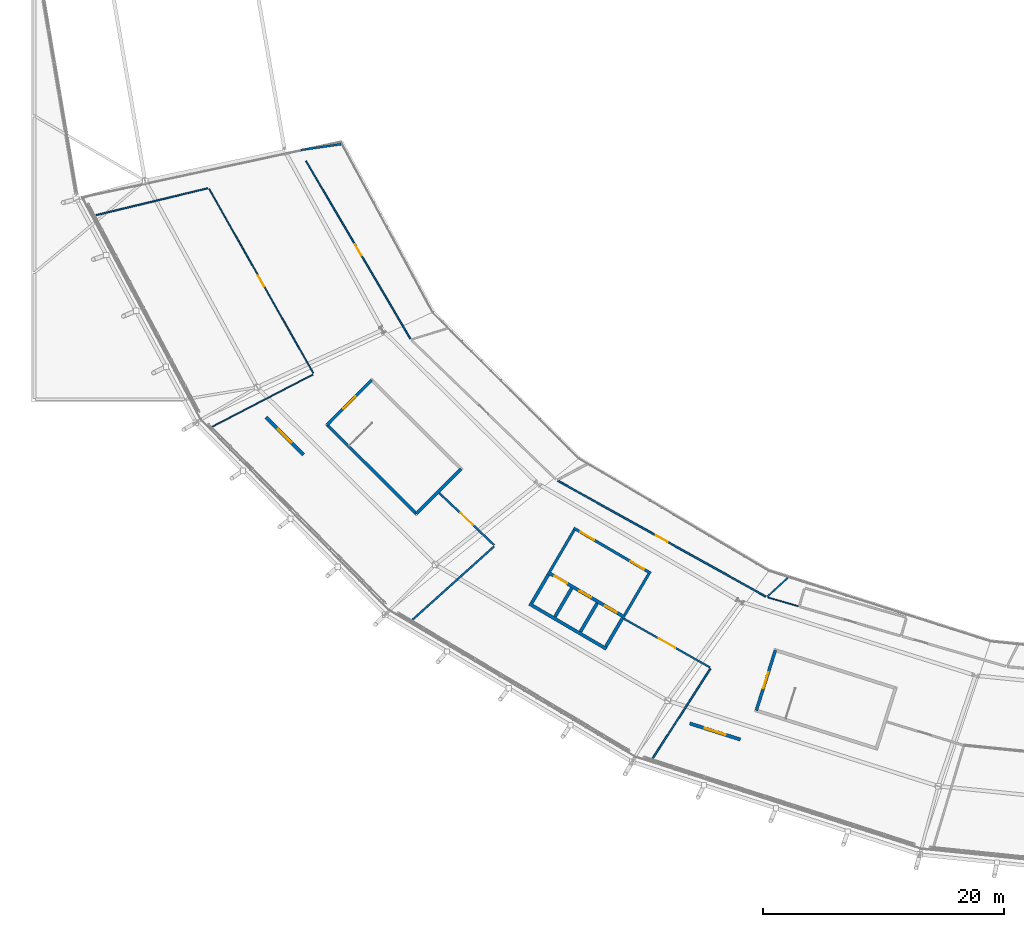
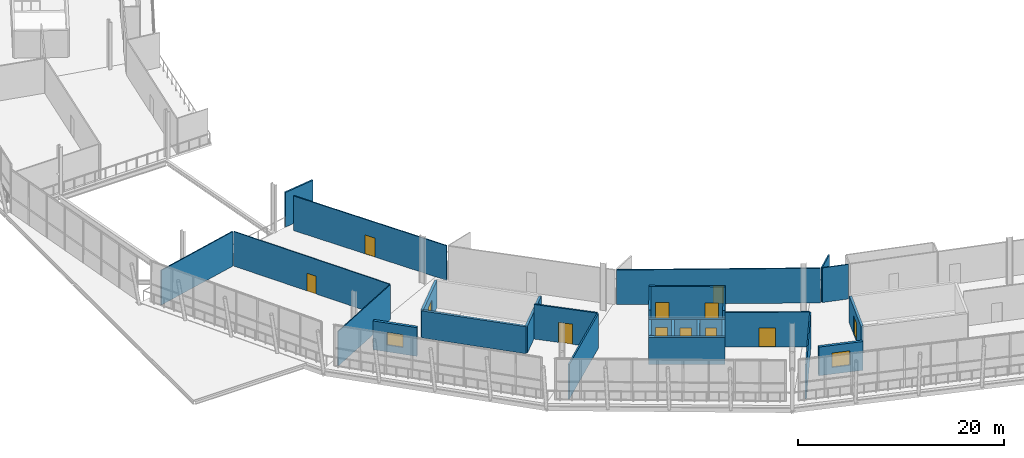
# One storey, part 82 of 99: 27 walls, 12 doors, 2 windows, 14 openings.
"""IFC4 building model written with IfcOpenShell, lengths in metres."""

from ifc_helpers import new_model, si_unit, direction, frame, frame_2d, origin, place, context, subcontext, project, spatial, rectangle, extrude, material, layer, layer_set, type_object, element, fill, save


model = new_model("IFC4")

# Units and contexts
model_context = context("Model", 3, precision=1e-05, world=origin(), true_north=direction((0.0, 1.0)))
body_context = subcontext(model_context, "Body", "Model", "MODEL_VIEW")
ifc_project = project(units=[si_unit("LENGTHUNIT", "METRE"), si_unit("AREAUNIT", "SQUARE_METRE"), si_unit("VOLUMEUNIT", "CUBIC_METRE"), si_unit("PLANEANGLEUNIT", "RADIAN"), si_unit("MASSUNIT", "GRAM", prefix="KILO")], contexts=[model_context])

# Site, building, storey
site_placement = place(None, origin())
site = spatial("IfcSite", under=ifc_project, at=site_placement, CompositionType="ELEMENT")
building_placement = place(site_placement, origin())
building = spatial("IfcBuilding", under=site, at=building_placement, Name="Zlatoyarsky Gate Stadium", CompositionType="ELEMENT")
storey_placement = place(building_placement, frame((0.0, 0.0, 26.199951171875)))
storey = spatial("IfcBuildingStorey", under=building, at=storey_placement, Name="L05", CompositionType="ELEMENT", Elevation=26.199951171875)

# Wall
ifc_material_1 = material(Name="Double-stud acoustic gypsum partition", Category="gypsum")
ifc_layer_1 = layer(ifc_material_1, 0.169921875)
ifc_layer_set_1 = layer_set([ifc_layer_1], Name="Double-stud acoustic gypsum partition")
wall_type_1 = type_object("IfcWallType", Name="ACOUSTIC BROADCAST STUDIO WALL 170", PredefinedType="PARTITIONING", material=ifc_layer_set_1)
wall_1_placement = place(storey_placement, frame((37.426513671875, 64.650390625, 0.0), z_axis=(0.0, 0.0, 1.0), x_axis=(-0.990071167714, -0.140567004881, 0.0)))
element("IfcWall", 1, at=wall_1_placement, inside=storey, type_object=wall_type_1, Name="L05 interior partition PRT-L05-IRD-13G", PredefinedType="PARTITIONING", context=body_context, shape_type="SweptSolid", body=[
    extrude(rectangle(XDim=3.36083984375, YDim=0.169921875, at=frame_2d((1.680419921875, 0.0))), origin(), (0.0, 0.0, 1.0), 4.10009765625),
])

# Wall, opening, door
wall_2_placement = place(storey_placement, frame((45.560791015625, 35.729736328125, 0.0), z_axis=(0.0, 0.0, 1.0), x_axis=(0.72578901813, -0.687917365068, 0.0)))
wall_2 = element("IfcWall", 2, at=wall_2_placement, inside=storey, type_object=wall_type_1, Name="L05 interior partition PRT-L05-OCC-14-1", PredefinedType="PARTITIONING", context=body_context, shape_type="SweptSolid", body=[
    extrude(rectangle(XDim=6.2724609375, YDim=0.169921875, at=frame_2d((3.13623046875, 0.0))), origin(), (0.0, 0.0, 1.0), 4.10009765625),
])
opening_1_placement = place(wall_2_placement, frame((2.416259765625, 0.0, 0.0)))
opening_1 = element("IfcOpeningElement", 3, at=opening_1_placement, cuts=wall_2, Name="Opening D-L05-690", PredefinedType="OPENING", context=body_context, shape_type="SweptSolid", body=[
    extrude(rectangle(XDim=1.43994140625, YDim=2.3798828125, at=frame_2d((0.719970703125, 1.18994140625))), frame((0.0, 0.094970703125, 0.0), z_axis=(0.0, -1.0, 0.0), x_axis=(1.0, 0.0, 0.0)), (0.0, 0.0, 1.0), 0.18994140625),
])
ifc_material_2 = material(Name="Powder-coated steel fire door", Category="steel")
door_type_1 = type_object("IfcDoorType", Name="ACOUSTIC INTERIOR DOOR 1440X2380", OperationType="NOTDEFINED", PredefinedType="DOOR", material=ifc_material_2)
door_1_placement = place(opening_1_placement, origin())
door_1 = element("IfcDoor", 4, at=door_1_placement, inside=storey, type_object=door_type_1, Name="L05 room door D-L05-690", OperationType="SINGLE_SWING_RIGHT", OverallHeight=2.3798828125, OverallWidth=1.43994140625, PredefinedType="DOOR", context=body_context, shape_type="SweptSolid", body=[
    extrude(rectangle(XDim=1.43994140625, YDim=2.3798828125, at=frame_2d((0.719970703125, 1.18994140625))), frame((0.0, 0.02490234375, 0.0), z_axis=(0.0, -1.0, 0.0), x_axis=(1.0, 0.0, 0.0)), (0.0, 0.0, 1.0), 0.050048828125),
])
fill(opening_1, door_1)

ifc_material_3 = material(Name="Anodised aluminium acoustic operable wall", Category="aluminium")
ifc_layer_2 = layer(ifc_material_3, 0.114990234375)
ifc_layer_set_2 = layer_set([ifc_layer_2], Name="Anodised aluminium acoustic operable wall")
wall_type_2 = type_object("IfcWallType", Name="ACOUSTIC OPERABLE SUITE WALL 115", PredefinedType="MOVABLE", material=ifc_layer_set_2)
wall_3_placement = place(storey_placement, frame((34.513427734375, 63.2587890625, 0.0), z_axis=(0.0, 0.0, 1.0), x_axis=(0.506269409128, -0.862375373826, 0.0)))
wall_3 = element("IfcWall", 5, at=wall_3_placement, inside=storey, type_object=wall_type_2, Name="L05 interior partition PRT-L05-ICC-13", PredefinedType="MOVABLE", context=body_context, shape_type="SweptSolid", body=[
    extrude(rectangle(XDim=17.08740234375, YDim=0.114990234375, at=frame_2d((8.543701171875, 0.0))), origin(), (0.0, 0.0, 1.0), 4.10009765625),
])
opening_2_placement = place(wall_3_placement, frame((8.003662109375, 0.0, 0.0)))
opening_2 = element("IfcOpeningElement", 6, at=opening_2_placement, cuts=wall_3, Name="Opening D-L05-638", PredefinedType="OPENING", context=body_context, shape_type="SweptSolid", body=[
    extrude(rectangle(XDim=1.080078125, YDim=2.239990234375, at=frame_2d((0.5400390625, 1.1201171875))), frame((0.0, 0.0673828125, 0.0), z_axis=(0.0, -1.0, 0.0), x_axis=(1.0, 0.0, 0.0)), (0.0, 0.0, 1.0), 0.135009765625),
])
ifc_material_4 = material(Name="Solid-core oak veneer acoustic door", Category="wood")
door_type_2 = type_object("IfcDoorType", Name="ACOUSTIC INTERIOR DOOR 1080X2240", OperationType="NOTDEFINED", PredefinedType="DOOR", material=ifc_material_4)
door_2_placement = place(opening_2_placement, origin())
door_2 = element("IfcDoor", 7, at=door_2_placement, inside=storey, type_object=door_type_2, Name="L05 room door D-L05-638", OperationType="SINGLE_SWING_RIGHT", OverallHeight=2.239990234375, OverallWidth=1.080078125, PredefinedType="DOOR", context=body_context, shape_type="SweptSolid", body=[
    extrude(rectangle(XDim=1.080078125, YDim=2.239990234375, at=frame_2d((0.5400390625, 1.1201171875))), frame((0.0, 0.02490234375, 0.0), z_axis=(0.0, -1.0, 0.0), x_axis=(1.0, 0.0, 0.0)), (0.0, 0.0, 1.0), 0.050048828125),
])
fill(opening_2, door_2)

# Wall
wall_4_placement = place(storey_placement, frame((26.364990234375, 60.998046875, 0.0), z_axis=(0.0, 0.0, 1.0), x_axis=(-0.972186593334, -0.234207659441, 0.0)))
element("IfcWall", 8, at=wall_4_placement, inside=storey, type_object=wall_type_2, Name="L05 interior partition PRT-L05-ORD-13L", PredefinedType="MOVABLE", context=body_context, shape_type="SweptSolid", body=[
    extrude(rectangle(XDim=9.556884765625, YDim=0.114990234375, at=frame_2d((4.7783203125, 0.0))), origin(), (0.0, 0.0, 1.0), 4.10009765625),
])

# Wall, opening, door
ifc_material_5 = material(Name="Moisture-resistant masonry partition", Category="masonry")
ifc_layer_3 = layer(ifc_material_5, 0.139892578125)
ifc_layer_set_3 = layer_set([ifc_layer_3], Name="Moisture-resistant masonry partition")
wall_type_3 = type_object("IfcWallType", Name="ATHLETE CHANGING BLOCK PARTITION 140", PredefinedType="PARTITIONING", material=ifc_layer_set_3)
wall_5_placement = place(storey_placement, frame((55.3818359375, 36.751220703125, 0.0), z_axis=(0.0, 0.0, 1.0), x_axis=(0.873697684001, -0.486469276493, 0.0)))
wall_5 = element("IfcWall", 9, at=wall_5_placement, inside=storey, type_object=wall_type_3, Name="L05 interior partition PRT-L05-ICC-15", PredefinedType="PARTITIONING", context=body_context, shape_type="SweptSolid", body=[
    extrude(rectangle(XDim=19.76171875, YDim=0.139892578125, at=frame_2d((9.880859375, 0.0))), origin(), (0.0, 0.0, 1.0), 4.10009765625),
])
opening_3_placement = place(wall_5_placement, frame((9.3408203125, 0.0, 0.0)))
opening_3 = element("IfcOpeningElement", 10, at=opening_3_placement, cuts=wall_5, Name="Opening D-L05-643", PredefinedType="OPENING", context=body_context, shape_type="SweptSolid", body=[
    extrude(rectangle(XDim=1.080078125, YDim=2.10009765625, at=frame_2d((0.5400390625, 1.050048828125))), frame((0.0, 0.079833984375, 0.0), z_axis=(0.0, -1.0, 0.0), x_axis=(1.0, 0.0, 0.0)), (0.0, 0.0, 1.0), 0.159912109375),
])
door_type_3 = type_object("IfcDoorType", Name="ACOUSTIC INTERIOR DOOR 1080X2100", OperationType="NOTDEFINED", PredefinedType="DOOR", material=ifc_material_2)
door_3_placement = place(opening_3_placement, origin())
door_3 = element("IfcDoor", 11, at=door_3_placement, inside=storey, type_object=door_type_3, Name="L05 room door D-L05-643", OperationType="SINGLE_SWING_RIGHT", OverallHeight=2.10009765625, OverallWidth=1.080078125, PredefinedType="DOOR", context=body_context, shape_type="SweptSolid", body=[
    extrude(rectangle(XDim=1.080078125, YDim=2.10009765625, at=frame_2d((0.5400390625, 1.050048828125))), frame((0.0, 0.02490234375, 0.0), z_axis=(0.0, -1.0, 0.0), x_axis=(1.0, 0.0, 0.0)), (0.0, 0.0, 1.0), 0.050048828125),
])
fill(opening_3, door_3)

# Wall
wall_6_placement = place(storey_placement, frame((68.041259765625, 21.15185546875, 0.0), z_axis=(0.0, 0.0, 1.0), x_axis=(-0.540739516847, -0.841190094402, 0.0)))
element("IfcWall", 12, at=wall_6_placement, inside=storey, type_object=wall_type_3, Name="L05 interior partition PRT-L05-ORD-15R", PredefinedType="PARTITIONING", context=body_context, shape_type="SweptSolid", body=[
    extrude(rectangle(XDim=8.875, YDim=0.139892578125, at=frame_2d((4.4375, 0.0))), origin(), (0.0, 0.0, 1.0), 4.10009765625),
])

# Wall, opening, door
ifc_material_6 = material(Name="Metal-stud gypsum partition", Category="gypsum")
ifc_layer_4 = layer(ifc_material_6, 0.14990234375)
ifc_layer_set_4 = layer_set([ifc_layer_4], Name="Metal-stud gypsum partition")
wall_type_4 = type_object("IfcWallType", Name="CONCOURSE CORRIDOR PARTITION 150", PredefinedType="PARTITIONING", material=ifc_layer_set_4)
wall_7_placement = place(storey_placement, frame((60.8896484375, 25.294921875, 0.0), z_axis=(0.0, 0.0, 1.0), x_axis=(0.870382774167, -0.492375696429, 0.0)))
wall_7 = element("IfcWall", 13, at=wall_7_placement, inside=storey, type_object=wall_type_4, Name="L05 interior partition PRT-L05-OCC-15-1", PredefinedType="PARTITIONING", context=body_context, shape_type="SweptSolid", body=[
    extrude(rectangle(XDim=8.184326171875, YDim=0.14990234375, at=frame_2d((4.09228515625, 0.0))), origin(), (0.0, 0.0, 1.0), 4.10009765625),
])
opening_4_placement = place(wall_7_placement, frame((3.312255859375, 0.0, 0.0)))
opening_4 = element("IfcOpeningElement", 14, at=opening_4_placement, cuts=wall_7, Name="Opening D-L05-692", PredefinedType="OPENING", context=body_context, shape_type="SweptSolid", body=[
    extrude(rectangle(XDim=1.56005859375, YDim=2.239990234375, at=frame_2d((0.780029296875, 1.1201171875))), frame((0.0, 0.0849609375, 0.0), z_axis=(0.0, -1.0, 0.0), x_axis=(1.0, 0.0, 0.0)), (0.0, 0.0, 1.0), 0.169921875),
])
door_type_4 = type_object("IfcDoorType", Name="ACOUSTIC INTERIOR DOOR 1560X2240", OperationType="NOTDEFINED", PredefinedType="DOOR", material=ifc_material_2)
door_4_placement = place(opening_4_placement, origin())
door_4 = element("IfcDoor", 15, at=door_4_placement, inside=storey, type_object=door_type_4, Name="L05 room door D-L05-692", OperationType="SINGLE_SWING_LEFT", OverallHeight=2.239990234375, OverallWidth=1.56005859375, PredefinedType="DOOR", context=body_context, shape_type="SweptSolid", body=[
    extrude(rectangle(XDim=1.56005859375, YDim=2.239990234375, at=frame_2d((0.780029296875, 1.1201171875))), frame((0.0, 0.02490234375, 0.0), z_axis=(0.0, -1.0, 0.0), x_axis=(1.0, 0.0, 0.0)), (0.0, 0.0, 1.0), 0.050048828125),
])
fill(opening_4, door_4)

# Walls
ifc_material_7 = material(Name="Concrete C40/50", Category="concrete")
ifc_layer_5 = layer(ifc_material_7, 0.27001953125)
ifc_layer_set_5 = layer_set([ifc_layer_5], Name="Concrete C40/50")
wall_type_5 = type_object("IfcWallType", Name="CONCRETE LIFT SHAFT SHEAR WALL 270", PredefinedType="SHEAR", material=ifc_layer_set_5)
wall_8_placement = place(storey_placement, frame((53.037353515625, 26.541015625, 0.0), z_axis=(0.0, 0.0, 1.0), x_axis=(0.862865684113, -0.505433290534, 0.0)))
element("IfcWall", 16, at=wall_8_placement, inside=storey, type_object=wall_type_5, Name="C3 L05 lift shaft rear wall", PredefinedType="SHEAR", context=body_context, shape_type="SweptSolid", body=[
    extrude(rectangle(XDim=7.400146484375, YDim=0.27001953125, at=frame_2d((3.7001953125, 0.0))), origin(), (0.0, 0.0, 1.0), 3.199951171875),
])
for number, where, z_axis, x_axis, name in (
    (17, (53.227294921875, 26.597900390625, 0.0), (0.0, 0.0, 1.0), (0.505465660416, 0.862846722275, 0.0), "C3 L05 lift shaft left wall"),
    (18, (59.37939453125, 22.993896484375, 0.0), (0.0, 0.0, 1.0), (0.505465660416, 0.862846722275, 0.0), "C3 L05 lift shaft right wall"),
):
    element("IfcWall", number, at=place(storey_placement, frame(where, z_axis=z_axis, x_axis=x_axis)), inside=storey, type_object=wall_type_5, Name=name, PredefinedType="SHEAR", context=body_context, shape_type="SweptSolid", body=[
        extrude(rectangle(XDim=2.739990234375, YDim=0.27001953125, at=frame_2d((1.3701171875, 0.0))), origin(), (0.0, 0.0, 1.0), 3.199951171875),
    ])
wall_9_placement = place(storey_placement, frame((55.159912109375, 25.4658203125, 0.0), z_axis=(0.0, 0.0, 1.0), x_axis=(0.505504523015, 0.862823954936, 0.0)))
element("IfcWall", 19, at=wall_9_placement, inside=storey, type_object=wall_type_5, Name="C3 L05 lift shaft divider 1", PredefinedType="SHEAR", context=body_context, shape_type="SweptSolid", body=[
    extrude(rectangle(XDim=2.73974609375, YDim=0.27001953125, at=frame_2d((1.369873046875, 0.0))), origin(), (0.0, 0.0, 1.0), 3.199951171875),
])
wall_10_placement = place(storey_placement, frame((57.27392578125, 24.227294921875, 0.0), z_axis=(0.0, 0.0, 1.0), x_axis=(0.505465660416, 0.862846722275, 0.0)))
element("IfcWall", 20, at=wall_10_placement, inside=storey, type_object=wall_type_5, Name="C3 L05 lift shaft divider 2", PredefinedType="SHEAR", context=body_context, shape_type="SweptSolid", body=[
    extrude(rectangle(XDim=2.739990234375, YDim=0.27001953125, at=frame_2d((1.3701171875, 0.0))), origin(), (0.0, 0.0, 1.0), 3.199951171875),
])

# Wall, openings, doors
wall_11_placement = place(storey_placement, frame((54.569091796875, 29.155517578125, 0.0), z_axis=(0.0, 0.0, 1.0), x_axis=(0.862842866418, -0.505472242434, 0.0)))
wall_11 = element("IfcWall", 21, at=wall_11_placement, inside=storey, type_object=wall_type_5, Name="C3 L05 lift landing front wall", PredefinedType="SHEAR", context=body_context, shape_type="SweptSolid", body=[
    extrude(rectangle(XDim=7.39990234375, YDim=0.27001953125, at=frame_2d((3.699951171875, 0.0))), origin(), (0.0, 0.0, 1.0), 3.199951171875),
])
opening_5_placement = place(wall_11_placement, frame((0.64990234375, 0.0, 0.0)))
opening_5 = element("IfcOpeningElement", 22, at=opening_5_placement, cuts=wall_11, Name="Opening LD-FL-03-L05", PredefinedType="OPENING", context=body_context, shape_type="SweptSolid", body=[
    extrude(rectangle(XDim=1.199951171875, YDim=2.25, at=frame_2d((0.60009765625, 1.125))), frame((0.0, 0.14501953125, 0.0), z_axis=(0.0, -1.0, 0.0), x_axis=(1.0, 0.0, 0.0)), (0.0, 0.0, 1.0), 0.2900390625),
])
opening_6_placement = place(wall_11_placement, frame((3.050048828125, 0.0, 0.0)))
opening_6 = element("IfcOpeningElement", 23, at=opening_6_placement, cuts=wall_11, Name="Opening LD-LF-05-L05", PredefinedType="OPENING", context=body_context, shape_type="SweptSolid", body=[
    extrude(rectangle(XDim=1.10009765625, YDim=2.199951171875, at=frame_2d((0.550048828125, 1.10009765625))), frame((0.0, 0.14501953125, 0.0), z_axis=(0.0, -1.0, 0.0), x_axis=(1.0, 0.0, 0.0)), (0.0, 0.0, 1.0), 0.2900390625),
])
opening_7_placement = place(wall_11_placement, frame((5.5, 0.0, 0.0)))
opening_7 = element("IfcOpeningElement", 24, at=opening_7_placement, cuts=wall_11, Name="Opening LD-LF-06-L05", PredefinedType="OPENING", context=body_context, shape_type="SweptSolid", body=[
    extrude(rectangle(XDim=1.10009765625, YDim=2.199951171875, at=frame_2d((0.550048828125, 1.10009765625))), frame((0.0, 0.14501953125, 0.0), z_axis=(0.0, -1.0, 0.0), x_axis=(1.0, 0.0, 0.0)), (0.0, 0.0, 1.0), 0.2900390625),
])
door_type_5 = type_object("IfcDoorType", Name="STAINLESS LIFT LANDING SLIDING DOOR 1100X2200", OperationType="DOUBLE_DOOR_SLIDING", PredefinedType="DOOR", material=ifc_material_2)
door_5_placement = place(opening_6_placement, origin())
door_5 = element("IfcDoor", 25, at=door_5_placement, inside=storey, type_object=door_type_5, Name="Lift LF-05 L05 sliding landing door", OperationType="DOUBLE_DOOR_SLIDING", OverallHeight=2.199951171875, OverallWidth=1.10009765625, PredefinedType="DOOR", context=body_context, shape_type="SweptSolid", body=[
    extrude(rectangle(XDim=1.10009765625, YDim=2.199951171875, at=frame_2d((0.550048828125, 1.10009765625))), frame((0.0, 0.02490234375, 0.0), z_axis=(0.0, -1.0, 0.0), x_axis=(1.0, 0.0, 0.0)), (0.0, 0.0, 1.0), 0.050048828125),
])
fill(opening_6, door_5)
door_6_placement = place(opening_7_placement, origin())
door_6 = element("IfcDoor", 26, at=door_6_placement, inside=storey, type_object=door_type_5, Name="Lift LF-06 L05 sliding landing door", OperationType="DOUBLE_DOOR_SLIDING", OverallHeight=2.199951171875, OverallWidth=1.10009765625, PredefinedType="DOOR", context=body_context, shape_type="SweptSolid", body=[
    extrude(rectangle(XDim=1.10009765625, YDim=2.199951171875, at=frame_2d((0.550048828125, 1.10009765625))), frame((0.0, 0.02490234375, 0.0), z_axis=(0.0, -1.0, 0.0), x_axis=(1.0, 0.0, 0.0)), (0.0, 0.0, 1.0), 0.050048828125),
])
fill(opening_7, door_6)
door_type_6 = type_object("IfcDoorType", Name="STAINLESS LIFT LANDING SLIDING DOOR 1200X2250", OperationType="DOUBLE_DOOR_SLIDING", PredefinedType="DOOR", material=ifc_material_2)
door_7_placement = place(opening_5_placement, origin())
door_7 = element("IfcDoor", 27, at=door_7_placement, inside=storey, type_object=door_type_6, Name="Lift FL-03 L05 sliding landing door", OperationType="DOUBLE_DOOR_SLIDING", OverallHeight=2.25, OverallWidth=1.199951171875, PredefinedType="DOOR", context=body_context, shape_type="SweptSolid", body=[
    extrude(rectangle(XDim=1.199951171875, YDim=2.25, at=frame_2d((0.60009765625, 1.125))), frame((0.0, 0.02490234375, 0.0), z_axis=(0.0, -1.0, 0.0), x_axis=(1.0, 0.0, 0.0)), (0.0, 0.0, 1.0), 0.050048828125),
])
fill(opening_5, door_7)

# Wall, opening, door
ifc_layer_6 = layer(ifc_material_7, 0.25)
ifc_layer_set_6 = layer_set([ifc_layer_6], Name="Concrete C40/50")
wall_type_6 = type_object("IfcWallType", Name="CONCRETE STAIR CORE SHEAR WALL 250", PredefinedType="SHEAR", material=ifc_layer_set_6)
wall_12_placement = place(storey_placement, frame((39.961181640625, 45.10205078125, 0.0), z_axis=(0.0, 0.0, 1.0), x_axis=(-0.705314141126, -0.708894888067, 0.0)))
wall_12 = element("IfcWall", 28, at=wall_12_placement, inside=storey, type_object=wall_type_6, Name="ST-08 L05 stair core entrance shear wall", PredefinedType="SHEAR", context=body_context, shape_type="SweptSolid", body=[
    extrude(rectangle(XDim=5.25, YDim=0.25, at=frame_2d((2.625, 0.0))), origin(), (0.0, 0.0, 1.0), 3.199951171875),
])
opening_8_placement = place(wall_12_placement, frame((1.925048828125, 0.0, 0.0)))
opening_8 = element("IfcOpeningElement", 29, at=opening_8_placement, cuts=wall_12, Name="Opening SD-ST-08-L05", PredefinedType="OPENING", context=body_context, shape_type="SweptSolid", body=[
    extrude(rectangle(XDim=1.39990234375, YDim=2.199951171875, at=frame_2d((0.699951171875, 1.10009765625))), frame((0.0, 0.135009765625, 0.0), z_axis=(0.0, -1.0, 0.0), x_axis=(1.0, 0.0, 0.0)), (0.0, 0.0, 1.0), 0.27001953125),
])
door_type_7 = type_object("IfcDoorType", Name="STAIR CORE FIRE EXIT DOOR 1400X2200", OperationType="NOTDEFINED", PredefinedType="DOOR", material=ifc_material_2)
door_8_placement = place(opening_8_placement, frame((1.39990234375, 0.0, 0.0), z_axis=(0.0, 0.0, 1.0), x_axis=(-1.0, 0.0, 0.0)))
door_8 = element("IfcDoor", 30, at=door_8_placement, inside=storey, type_object=door_type_7, Name="ST-08 L05 stair fire door", OperationType="SINGLE_SWING_LEFT", OverallHeight=2.199951171875, OverallWidth=1.39990234375, PredefinedType="DOOR", context=body_context, shape_type="SweptSolid", body=[
    extrude(rectangle(XDim=1.39990234375, YDim=2.199951171875, at=frame_2d((0.699951171875, 1.10009765625))), frame((0.0, 0.02490234375, 0.0), z_axis=(0.0, -1.0, 0.0), x_axis=(1.0, 0.0, 0.0)), (0.0, 0.0, 1.0), 0.050048828125),
])
fill(opening_8, door_8)

# Walls
wall_13_placement = place(storey_placement, frame((36.25830078125, 41.38037109375, 0.0), z_axis=(0.0, 0.0, 1.0), x_axis=(0.708891762409, -0.705317282639, 0.0)))
element("IfcWall", 31, at=wall_13_placement, inside=storey, type_object=wall_type_6, Name="ST-08 L05 stair core left shear wall", PredefinedType="SHEAR", context=body_context, shape_type="SweptSolid", body=[
    extrude(rectangle(XDim=10.449951171875, YDim=0.25, at=frame_2d((5.22509765625, 0.0))), origin(), (0.0, 0.0, 1.0), 3.199951171875),
])
wall_14_placement = place(storey_placement, frame((43.666259765625, 34.009765625, 0.0), z_axis=(0.0, 0.0, 1.0), x_axis=(0.705314141126, 0.708894888067, 0.0)))
element("IfcWall", 32, at=wall_14_placement, inside=storey, type_object=wall_type_6, Name="ST-08 L05 stair core far shear wall", PredefinedType="SHEAR", context=body_context, shape_type="SweptSolid", body=[
    extrude(rectangle(XDim=5.25, YDim=0.25, at=frame_2d((2.625, 0.0))), origin(), (0.0, 0.0, 1.0), 3.199951171875),
])

# Wall, opening, door
wall_15_placement = place(storey_placement, frame((73.436767578125, 22.69873046875, 0.0), z_axis=(0.0, 0.0, 1.0), x_axis=(-0.30152749866, -0.953457480726, 0.0)))
wall_15 = element("IfcWall", 33, at=wall_15_placement, inside=storey, type_object=wall_type_6, Name="ST-09 L05 stair core entrance shear wall", PredefinedType="SHEAR", context=body_context, shape_type="SweptSolid", body=[
    extrude(rectangle(XDim=5.25, YDim=0.25, at=frame_2d((2.625, 0.0))), origin(), (0.0, 0.0, 1.0), 3.199951171875),
])
opening_9_placement = place(wall_15_placement, frame((1.925048828125, 0.0, 0.0)))
opening_9 = element("IfcOpeningElement", 34, at=opening_9_placement, cuts=wall_15, Name="Opening SD-ST-09-L05", PredefinedType="OPENING", context=body_context, shape_type="SweptSolid", body=[
    extrude(rectangle(XDim=1.39990234375, YDim=2.199951171875, at=frame_2d((0.699951171875, 1.10009765625))), frame((0.0, 0.135009765625, 0.0), z_axis=(0.0, -1.0, 0.0), x_axis=(1.0, 0.0, 0.0)), (0.0, 0.0, 1.0), 0.27001953125),
])
door_9_placement = place(opening_9_placement, frame((1.39990234375, 0.0, 0.0), z_axis=(0.0, 0.0, 1.0), x_axis=(-1.0, 0.0, 0.0)))
door_9 = element("IfcDoor", 35, at=door_9_placement, inside=storey, type_object=door_type_7, Name="ST-09 L05 stair fire door", OperationType="SINGLE_SWING_RIGHT", OverallHeight=2.199951171875, OverallWidth=1.39990234375, PredefinedType="DOOR", context=body_context, shape_type="SweptSolid", body=[
    extrude(rectangle(XDim=1.39990234375, YDim=2.199951171875, at=frame_2d((0.699951171875, 1.10009765625))), frame((0.0, 0.02490234375, 0.0), z_axis=(0.0, -1.0, 0.0), x_axis=(1.0, 0.0, 0.0)), (0.0, 0.0, 1.0), 0.050048828125),
])
fill(opening_9, door_9)

# Walls
ifc_material_8 = material(Name="Autoclaved aerated concrete masonry EI 120", Category="masonry")
ifc_layer_7 = layer(ifc_material_8, 0.219970703125)
ifc_layer_set_7 = layer_set([ifc_layer_7], Name="Autoclaved aerated concrete masonry EI 120")
wall_type_7 = type_object("IfcWallType", Name="FIREFIGHTING LOBBY RATED WALL 220", PredefinedType="PARTITIONING", material=ifc_layer_set_7)
for number, where, z_axis, x_axis, name in (
    (36, (54.7421875, 29.233642578125, 0.0), (0.0, 0.0, 1.0), (0.505464443681, 0.862847435051, 0.0), "C3 L05 firefighting lobby left wall"),
    (37, (60.9375, 25.6044921875, 0.0), (0.0, 0.0, 1.0), (0.505464443681, 0.862847435051, 0.0), "C3 L05 firefighting lobby right wall"),
):
    element("IfcWall", number, at=place(storey_placement, frame(where, z_axis=z_axis, x_axis=x_axis)), inside=storey, type_object=wall_type_7, Name=name, PredefinedType="PARTITIONING", context=body_context, shape_type="SweptSolid", body=[
        extrude(rectangle(XDim=3.97998046875, YDim=0.219970703125, at=frame_2d((1.989990234375, 0.0))), origin(), (0.0, 0.0, 1.0), 4.10009765625),
    ])

# Wall, openings, doors
wall_16_placement = place(storey_placement, frame((56.714599609375, 32.818359375, 0.0), z_axis=(0.0, 0.0, 1.0), x_axis=(0.862851295616, -0.505457853488, 0.0)))
wall_16 = element("IfcWall", 38, at=wall_16_placement, inside=storey, type_object=wall_type_7, Name="C3 L05 firefighting lobby front wall", PredefinedType="PARTITIONING", context=body_context, shape_type="SweptSolid", body=[
    extrude(rectangle(XDim=7.400146484375, YDim=0.219970703125, at=frame_2d((3.7001953125, 0.0))), origin(), (0.0, 0.0, 1.0), 4.10009765625),
])
opening_10_placement = place(wall_16_placement, frame((0.64990234375, 0.0, 0.0)))
opening_10 = element("IfcOpeningElement", 39, at=opening_10_placement, cuts=wall_16, Name="Opening FD-C3-L05-A", PredefinedType="OPENING", context=body_context, shape_type="SweptSolid", body=[
    extrude(rectangle(XDim=1.300048828125, YDim=2.199951171875, at=frame_2d((0.64990234375, 1.10009765625))), frame((0.0, 0.119873046875, 0.0), z_axis=(0.0, -1.0, 0.0), x_axis=(1.0, 0.0, 0.0)), (0.0, 0.0, 1.0), 0.239990234375),
])
opening_11_placement = place(wall_16_placement, frame((5.449951171875, 0.0, 0.0)))
opening_11 = element("IfcOpeningElement", 40, at=opening_11_placement, cuts=wall_16, Name="Opening FD-C3-L05-B", PredefinedType="OPENING", context=body_context, shape_type="SweptSolid", body=[
    extrude(rectangle(XDim=1.300048828125, YDim=2.199951171875, at=frame_2d((0.64990234375, 1.10009765625))), frame((0.0, 0.119873046875, 0.0), z_axis=(0.0, -1.0, 0.0), x_axis=(1.0, 0.0, 0.0)), (0.0, 0.0, 1.0), 0.239990234375),
])
door_type_8 = type_object("IfcDoorType", Name="FIREFIGHTING LOBBY FIRE DOOR 1300X2200", OperationType="NOTDEFINED", PredefinedType="DOOR", material=ifc_material_2)
door_10_placement = place(opening_10_placement, origin())
door_10 = element("IfcDoor", 41, at=door_10_placement, inside=storey, type_object=door_type_8, Name="C3 L05 firefighting lobby fire door FD-C3-L05-A", OperationType="SINGLE_SWING_LEFT", OverallHeight=2.199951171875, OverallWidth=1.300048828125, PredefinedType="DOOR", context=body_context, shape_type="SweptSolid", body=[
    extrude(rectangle(XDim=1.300048828125, YDim=2.199951171875, at=frame_2d((0.64990234375, 1.10009765625))), frame((0.0, 0.02490234375, 0.0), z_axis=(0.0, -1.0, 0.0), x_axis=(1.0, 0.0, 0.0)), (0.0, 0.0, 1.0), 0.050048828125),
])
fill(opening_10, door_10)
door_11_placement = place(opening_11_placement, origin())
door_11 = element("IfcDoor", 42, at=door_11_placement, inside=storey, type_object=door_type_8, Name="C3 L05 firefighting lobby fire door FD-C3-L05-B", OperationType="SINGLE_SWING_RIGHT", OverallHeight=2.199951171875, OverallWidth=1.300048828125, PredefinedType="DOOR", context=body_context, shape_type="SweptSolid", body=[
    extrude(rectangle(XDim=1.300048828125, YDim=2.199951171875, at=frame_2d((0.64990234375, 1.10009765625))), frame((0.0, 0.02490234375, 0.0), z_axis=(0.0, -1.0, 0.0), x_axis=(1.0, 0.0, 0.0)), (0.0, 0.0, 1.0), 0.050048828125),
])
fill(opening_11, door_11)

# Walls
ifc_material_9 = material(Name="Timber-veneered acoustic operable partition", Category="wood")
ifc_layer_8 = layer(ifc_material_9, 0.094970703125)
ifc_layer_set_8 = layer_set([ifc_layer_8], Name="Timber-veneered acoustic operable partition")
wall_type_8 = type_object("IfcWallType", Name="FOLDING BANQUET SALON WALL 95", PredefinedType="MOVABLE", material=ifc_layer_set_8)
wall_17_placement = place(storey_placement, frame((72.803466796875, 27.072509765625, 0.0), z_axis=(0.0, 0.0, 1.0), x_axis=(0.960576007831, -0.278017505166, 0.0)))
element("IfcWall", 43, at=wall_17_placement, inside=storey, type_object=wall_type_8, Name="L05 interior partition PRT-L05-WCL-16", PredefinedType="MOVABLE", context=body_context, shape_type="SweptSolid", body=[
    extrude(rectangle(XDim=2.630126953125, YDim=0.094970703125, at=frame_2d((1.31494140625, 0.0))), origin(), (0.0, 0.0, 1.0), 4.10009765625),
])
wall_18_placement = place(storey_placement, frame((35.077392578125, 45.55615234375, 0.0), z_axis=(0.0, 0.0, 1.0), x_axis=(-0.887699747692, -0.460422803462, 0.0)))
element("IfcWall", 44, at=wall_18_placement, inside=storey, type_object=wall_type_8, Name="L05 interior partition PRT-L05-ORD-13R", PredefinedType="MOVABLE", context=body_context, shape_type="SweptSolid", body=[
    extrude(rectangle(XDim=9.37646484375, YDim=0.094970703125, at=frame_2d((4.688232421875, 0.0))), origin(), (0.0, 0.0, 1.0), 4.10009765625),
])
ifc_material_10 = material(Name="Acoustic metal-stud gypsum partition", Category="gypsum")
ifc_layer_9 = layer(ifc_material_10, 0.159912109375)
ifc_layer_set_9 = layer_set([ifc_layer_9], Name="Acoustic metal-stud gypsum partition")
wall_type_9 = type_object("IfcWallType", Name="HOSPITALITY SUITE PARTITION 160", PredefinedType="PARTITIONING", material=ifc_layer_set_9)
wall_19_placement = place(storey_placement, frame((50.11181640625, 31.299560546875, 0.0), z_axis=(0.0, 0.0, 1.0), x_axis=(-0.743806831413, -0.668394642067, 0.0)))
element("IfcWall", 45, at=wall_19_placement, inside=storey, type_object=wall_type_9, Name="L05 interior partition PRT-L05-ORD-14R", PredefinedType="PARTITIONING", context=body_context, shape_type="SweptSolid", body=[
    extrude(rectangle(XDim=9.135986328125, YDim=0.159912109375, at=frame_2d((4.56787109375, 0.0))), origin(), (0.0, 0.0, 1.0), 4.10009765625),
])

# Wall, opening, window
ifc_material_11 = material(Name="Precast concrete C40/50 architectural panel", Category="concrete")
ifc_layer_10 = layer(ifc_material_11, 0.280029296875)
ifc_layer_set_10 = layer_set([ifc_layer_10], Name="Precast concrete C40/50 architectural panel")
wall_type_10 = type_object("IfcWallType", Name="INSULATED WING SPANDREL WALL 280", PredefinedType="STANDARD", material=ifc_layer_set_10)
wall_20_placement = place(storey_placement, frame((31.192138671875, 42.023193359375, 0.0), z_axis=(0.0, 0.0, 1.0), x_axis=(0.707411897339, -0.70680153332, 0.0)))
wall_20 = element("IfcWall", 46, at=wall_20_placement, inside=storey, type_object=wall_type_10, Name="L05 clerestory lantern wall 05", PredefinedType="STANDARD", context=body_context, shape_type="SweptSolid", body=[
    extrude(rectangle(XDim=4.39990234375, YDim=0.280029296875, at=frame_2d((2.199951171875, 0.0))), origin(), (0.0, 0.0, 1.0), 3.400146484375),
])
opening_12_placement = place(wall_20_placement, frame((1.39990234375, 0.0, 0.800048828125)))
opening_12 = element("IfcOpeningElement", 47, at=opening_12_placement, cuts=wall_20, Name="Opening SK-01", PredefinedType="OPENING", context=body_context, shape_type="SweptSolid", body=[
    extrude(rectangle(XDim=1.60009765625, YDim=1.5, at=frame_2d((0.800048828125, 0.75))), frame((0.0, 0.14990234375, 0.0), z_axis=(0.0, -1.0, 0.0), x_axis=(1.0, 0.0, 0.0)), (0.0, 0.0, 1.0), 0.300048828125),
])
ifc_material_12 = material(Name="Triple-glazed thermally broken aluminium skylight", Category="aluminium")
window_type_1 = type_object("IfcWindowType", Name="INSULATED ROOF SMOKE VENT SKYLIGHT 1600X1500", PartitioningType="SINGLE_PANEL", PredefinedType="SKYLIGHT", material=ifc_material_12)
window_1_placement = place(opening_12_placement, origin())
window_1 = element("IfcWindow", 48, at=window_1_placement, inside=storey, type_object=window_type_1, Name="Clerestory smoke vent skylight SKY-05", OverallHeight=1.5, OverallWidth=1.60009765625, PartitioningType="SINGLE_PANEL", PredefinedType="SKYLIGHT", context=body_context, shape_type="SweptSolid", body=[
    extrude(rectangle(XDim=1.60009765625, YDim=1.5, at=frame_2d((0.800048828125, 0.75))), frame((0.0, 0.030029296875, 0.0), z_axis=(0.0, -1.0, 0.0), x_axis=(1.0, 0.0, 0.0)), (0.0, 0.0, 1.0), 0.06005859375),
])
fill(opening_12, window_1)

wall_21_placement = place(storey_placement, frame((66.339111328125, 16.618408203125, 0.0), z_axis=(0.0, 0.0, 1.0), x_axis=(0.953092511753, -0.302679143716, 0.0)))
wall_21 = element("IfcWall", 49, at=wall_21_placement, inside=storey, type_object=wall_type_10, Name="L05 clerestory lantern wall 06", PredefinedType="STANDARD", context=body_context, shape_type="SweptSolid", body=[
    extrude(rectangle(XDim=4.39990234375, YDim=0.280029296875, at=frame_2d((2.199951171875, 0.0))), origin(), (0.0, 0.0, 1.0), 3.400146484375),
])
opening_13_placement = place(wall_21_placement, frame((1.300048828125, 0.0, 0.800048828125)))
opening_13 = element("IfcOpeningElement", 50, at=opening_13_placement, cuts=wall_21, Name="Opening SK-02", PredefinedType="OPENING", context=body_context, shape_type="SweptSolid", body=[
    extrude(rectangle(XDim=1.800048828125, YDim=1.699951171875, at=frame_2d((0.89990234375, 0.85009765625))), frame((0.0, 0.14990234375, 0.0), z_axis=(0.0, -1.0, 0.0), x_axis=(1.0, 0.0, 0.0)), (0.0, 0.0, 1.0), 0.300048828125),
])
window_type_2 = type_object("IfcWindowType", Name="INSULATED ROOF SMOKE VENT SKYLIGHT 1800X1700", PartitioningType="SINGLE_PANEL", PredefinedType="SKYLIGHT", material=ifc_material_12)
window_2_placement = place(opening_13_placement, origin())
window_2 = element("IfcWindow", 51, at=window_2_placement, inside=storey, type_object=window_type_2, Name="Clerestory smoke vent skylight SKY-06", OverallHeight=1.699951171875, OverallWidth=1.800048828125, PartitioningType="SINGLE_PANEL", PredefinedType="SKYLIGHT", context=body_context, shape_type="SweptSolid", body=[
    extrude(rectangle(XDim=1.800048828125, YDim=1.699951171875, at=frame_2d((0.89990234375, 0.85009765625))), frame((0.0, 0.030029296875, 0.0), z_axis=(0.0, -1.0, 0.0), x_axis=(1.0, 0.0, 0.0)), (0.0, 0.0, 1.0), 0.06005859375),
])
fill(opening_13, window_2)

# Wall, opening, door
ifc_layer_11 = layer(ifc_material_6, 0.10009765625)
ifc_layer_set_11 = layer_set([ifc_layer_11], Name="Metal-stud gypsum partition")
wall_type_11 = type_object("IfcWallType", Name="LIGHT STORAGE PARTITION 100", PredefinedType="PARTITIONING", material=ifc_layer_set_11)
wall_22_placement = place(storey_placement, frame((26.489501953125, 60.94384765625, 0.0), z_axis=(0.0, 0.0, 1.0), x_axis=(0.491542100874, -0.870853812685, 0.0)))
wall_22 = element("IfcWall", 52, at=wall_22_placement, inside=storey, type_object=wall_type_11, Name="L05 interior partition PRT-L05-OCC-13-1", PredefinedType="PARTITIONING", context=body_context, shape_type="SweptSolid", body=[
    extrude(rectangle(XDim=17.539794921875, YDim=0.10009765625, at=frame_2d((8.77001953125, 0.0))), origin(), (0.0, 0.0, 1.0), 4.10009765625),
])
opening_14_placement = place(wall_22_placement, frame((8.260009765625, 0.0, 0.0)))
opening_14 = element("IfcOpeningElement", 53, at=opening_14_placement, cuts=wall_22, Name="Opening D-L05-687", PredefinedType="OPENING", context=body_context, shape_type="SweptSolid", body=[
    extrude(rectangle(XDim=1.02001953125, YDim=2.10009765625, at=frame_2d((0.510009765625, 1.050048828125))), frame((0.0, 0.06005859375, 0.0), z_axis=(0.0, -1.0, 0.0), x_axis=(1.0, 0.0, 0.0)), (0.0, 0.0, 1.0), 0.1201171875),
])
door_type_9 = type_object("IfcDoorType", Name="ACOUSTIC INTERIOR DOOR 1020X2100", OperationType="NOTDEFINED", PredefinedType="DOOR", material=ifc_material_4)
door_12_placement = place(opening_14_placement, origin())
door_12 = element("IfcDoor", 54, at=door_12_placement, inside=storey, type_object=door_type_9, Name="L05 room door D-L05-687", OperationType="SINGLE_SWING_LEFT", OverallHeight=2.10009765625, OverallWidth=1.02001953125, PredefinedType="DOOR", context=body_context, shape_type="SweptSolid", body=[
    extrude(rectangle(XDim=1.02001953125, YDim=2.10009765625, at=frame_2d((0.510009765625, 1.050048828125))), frame((0.0, 0.02490234375, 0.0), z_axis=(0.0, -1.0, 0.0), x_axis=(1.0, 0.0, 0.0)), (0.0, 0.0, 1.0), 0.050048828125),
])
fill(opening_14, door_12)

# Wall
ifc_material_13 = material(Name="Moisture-resistant tile-backed partition", Category="gypsum")
ifc_layer_12 = layer(ifc_material_13, 0.1298828125)
ifc_layer_set_12 = layer_set([ifc_layer_12], Name="Moisture-resistant tile-backed partition")
wall_type_12 = type_object("IfcWallType", Name="SANITARY WET ROOM PARTITION 130", PredefinedType="PARTITIONING", material=ifc_layer_set_12)
wall_23_placement = place(storey_placement, frame((74.467041015625, 28.69482421875, 0.0), z_axis=(0.0, 0.0, 1.0), x_axis=(-0.737353980481, -0.6755065562, 0.0)))
element("IfcWall", 55, at=wall_23_placement, inside=storey, type_object=wall_type_12, Name="L05 interior partition PRT-L05-IRD-16", PredefinedType="PARTITIONING", context=body_context, shape_type="SweptSolid", body=[
    extrude(rectangle(XDim=2.28173828125, YDim=0.1298828125, at=frame_2d((1.140869140625, 0.0))), origin(), (0.0, 0.0, 1.0), 4.10009765625),
])

save(model, "model.ifc")
